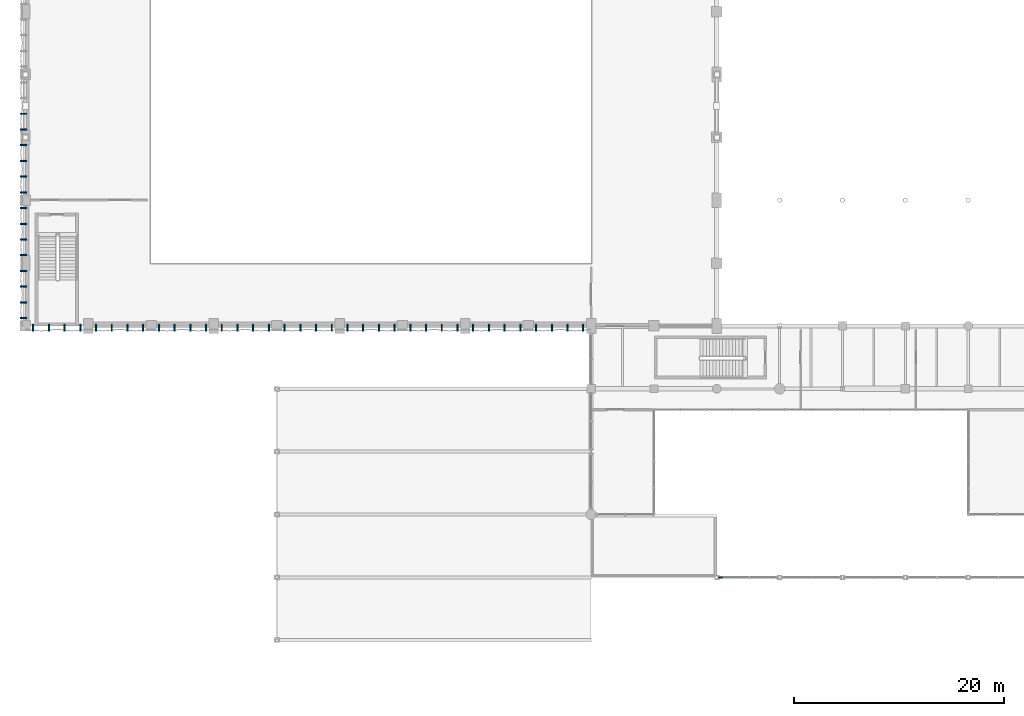
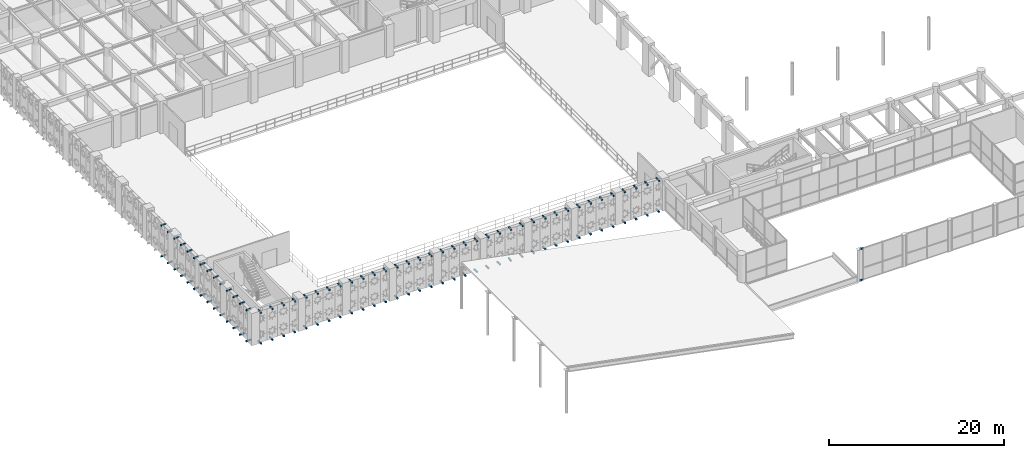
# One storey, part 114 of 133: 102 discrete accessories.
"""IFC4 building model written with IfcOpenShell, lengths in metres."""

from ifc_helpers import new_model, si_unit, direction, frame, origin, origin_2d, place, context, subcontext, project, spatial, rectangle, extrude, material, type_object, element, save


model = new_model("IFC4")

# Units and contexts
model_context = context("Model", 3, precision=1e-05, world=origin(), true_north=direction((0.0, 1.0)))
body_context = subcontext(model_context, "Body", "Model", "MODEL_VIEW")
ifc_project = project(units=[si_unit("LENGTHUNIT", "METRE"), si_unit("AREAUNIT", "SQUARE_METRE"), si_unit("VOLUMEUNIT", "CUBIC_METRE"), si_unit("PLANEANGLEUNIT", "RADIAN"), si_unit("MASSUNIT", "GRAM", prefix="KILO"), si_unit("THERMODYNAMICTEMPERATUREUNIT", "KELVIN"), si_unit("POWERUNIT", "WATT")], contexts=[model_context])

# Site, building, storey
site_placement = place(None, origin())
site = spatial("IfcSite", under=ifc_project, at=site_placement, CompositionType="ELEMENT")
building_placement = place(site_placement, origin())
building = spatial("IfcBuilding", under=site, at=building_placement, Name="Phaisarnlok Congress Hotel", CompositionType="ELEMENT")
storey_placement = place(building_placement, frame((0.0, 0.0, 6.0)))
storey = spatial("IfcBuildingStorey", under=building, at=storey_placement, Name="L01", CompositionType="ELEMENT", Elevation=6.0)

# Discrete accessories
ifc_material = material(Name="Steel S355", Category="steel")
discrete_accessory_type = type_object("IfcDiscreteAccessoryType", Name="ACC-BRK-STL", PredefinedType="BRACKET", material=ifc_material)
for number, where, z_axis, x_axis, name in (
    (1, (66.360107421875, 18.0, -0.009765625), (0.0, 0.0, 1.0), (1.0, 0.0, 0.0), "Curtain wall steel jamb spider bracket BK-01"),
    (2, (66.360107421875, 18.0, 4.35986328125), (0.0, 0.0, 1.0), (1.0, 0.0, 0.0), "Curtain wall steel jamb spider bracket BK-01"),
):
    element("IfcDiscreteAccessory", number, at=place(storey_placement, frame(where, z_axis=z_axis, x_axis=x_axis)), inside=storey, type_object=discrete_accessory_type, Name=name, PredefinedType="BRACKET", context=body_context, shape_type="SweptSolid", body=[
        extrude(rectangle(XDim=0.43994140625, YDim=0.159912109375, at=origin_2d()), origin(), (0.0, 0.0, 1.0), 0.139892578125),
    ])
for number, where, z_axis, x_axis, name in (
    (3, (-0.183837890625, 42.75, -0.18017578125), (0.0, 0.0, 1.0), (1.0, 0.0, 0.0), "Solar screen steel outrigger bracket BK-01"),
    (4, (-0.183837890625, 42.75, 4.1201171875), (0.0, 0.0, 1.0), (1.0, 0.0, 0.0), "Solar screen steel outrigger bracket BK-01"),
    (5, (-0.183837890625, 44.25, -0.18017578125), (0.0, 0.0, 1.0), (1.0, 0.0, 0.0), "Solar screen steel outrigger bracket BK-01"),
    (6, (-0.183837890625, 44.25, 4.1201171875), (0.0, 0.0, 1.0), (1.0, 0.0, 0.0), "Solar screen steel outrigger bracket BK-01"),
    (7, (-0.183837890625, 45.75, -0.18017578125), (0.0, 0.0, 1.0), (1.0, 0.0, 0.0), "Solar screen steel outrigger bracket BK-01"),
    (8, (-0.183837890625, 45.75, 4.1201171875), (0.0, 0.0, 1.0), (1.0, 0.0, 0.0), "Solar screen steel outrigger bracket BK-01"),
    (9, (-0.183837890625, 47.25, -0.18017578125), (0.0, 0.0, 1.0), (1.0, 0.0, 0.0), "Solar screen steel outrigger bracket BK-01"),
    (10, (-0.183837890625, 47.25, 4.1201171875), (0.0, 0.0, 1.0), (1.0, 0.0, 0.0), "Solar screen steel outrigger bracket BK-01"),
    (11, (-0.183837890625, 48.75, -0.18017578125), (0.0, 0.0, 1.0), (1.0, 0.0, 0.0), "Solar screen steel outrigger bracket BK-01"),
    (12, (-0.183837890625, 48.75, 4.1201171875), (0.0, 0.0, 1.0), (1.0, 0.0, 0.0), "Solar screen steel outrigger bracket BK-01"),
    (13, (-0.183837890625, 50.25, -0.18017578125), (0.0, 0.0, 1.0), (1.0, 0.0, 0.0), "Solar screen steel outrigger bracket BK-01"),
    (14, (-0.183837890625, 50.25, 4.1201171875), (0.0, 0.0, 1.0), (1.0, 0.0, 0.0), "Solar screen steel outrigger bracket BK-01"),
    (15, (-0.183837890625, 51.75, -0.18017578125), (0.0, 0.0, 1.0), (1.0, 0.0, 0.0), "Solar screen steel outrigger bracket BK-01"),
    (16, (-0.183837890625, 51.75, 4.1201171875), (0.0, 0.0, 1.0), (1.0, 0.0, 0.0), "Solar screen steel outrigger bracket BK-01"),
    (17, (-0.183837890625, 53.25, -0.18017578125), (0.0, 0.0, 1.0), (1.0, 0.0, 0.0), "Solar screen steel outrigger bracket BK-01"),
    (18, (-0.183837890625, 53.25, 4.1201171875), (0.0, 0.0, 1.0), (1.0, 0.0, 0.0), "Solar screen steel outrigger bracket BK-01"),
    (19, (-0.183837890625, 54.75, -0.18017578125), (0.0, 0.0, 1.0), (1.0, 0.0, 0.0), "Solar screen steel outrigger bracket BK-01"),
    (20, (-0.183837890625, 54.75, 4.1201171875), (0.0, 0.0, 1.0), (1.0, 0.0, 0.0), "Solar screen steel outrigger bracket BK-01"),
    (21, (-0.183837890625, 56.25, -0.18017578125), (0.0, 0.0, 1.0), (1.0, 0.0, 0.0), "Solar screen steel outrigger bracket BK-01"),
    (22, (-0.183837890625, 56.25, 4.1201171875), (0.0, 0.0, 1.0), (1.0, 0.0, 0.0), "Solar screen steel outrigger bracket BK-01"),
    (23, (-0.183837890625, 57.75, -0.18017578125), (0.0, 0.0, 1.0), (1.0, 0.0, 0.0), "Solar screen steel outrigger bracket BK-01"),
    (24, (-0.183837890625, 57.75, 4.1201171875), (0.0, 0.0, 1.0), (1.0, 0.0, 0.0), "Solar screen steel outrigger bracket BK-01"),
    (25, (-0.183837890625, 59.25, -0.18017578125), (0.0, 0.0, 1.0), (1.0, 0.0, 0.0), "Solar screen steel outrigger bracket BK-01"),
    (26, (-0.183837890625, 59.25, 4.1201171875), (0.0, 0.0, 1.0), (1.0, 0.0, 0.0), "Solar screen steel outrigger bracket BK-01"),
    (27, (-0.183837890625, 60.75, -0.18017578125), (0.0, 0.0, 1.0), (1.0, 0.0, 0.0), "Solar screen steel outrigger bracket BK-01"),
    (28, (-0.183837890625, 60.75, 4.1201171875), (0.0, 0.0, 1.0), (1.0, 0.0, 0.0), "Solar screen steel outrigger bracket BK-01"),
    (29, (-0.183837890625, 62.25, -0.18017578125), (0.0, 0.0, 1.0), (1.0, 0.0, 0.0), "Solar screen steel outrigger bracket BK-01"),
    (30, (-0.183837890625, 62.25, 4.1201171875), (0.0, 0.0, 1.0), (1.0, 0.0, 0.0), "Solar screen steel outrigger bracket BK-01"),
):
    element("IfcDiscreteAccessory", number, at=place(storey_placement, frame(where, z_axis=z_axis, x_axis=x_axis)), inside=storey, type_object=discrete_accessory_type, Name=name, PredefinedType="BRACKET", context=body_context, shape_type="SweptSolid", body=[
        extrude(rectangle(XDim=0.647705078125, YDim=0.139892578125, at=origin_2d()), origin(), (0.0, 0.0, 1.0), 0.159912109375),
    ])
for number, where, z_axis, x_axis, name in (
    (31, (0.75, 41.816162109375, -0.18017578125), (0.0, 0.0, 1.0), (1.0, 0.0, 0.0), "Solar screen steel outrigger bracket BK-01"),
    (32, (0.75, 41.816162109375, 4.1201171875), (0.0, 0.0, 1.0), (1.0, 0.0, 0.0), "Solar screen steel outrigger bracket BK-01"),
    (33, (2.25, 41.816162109375, -0.18017578125), (0.0, 0.0, 1.0), (1.0, 0.0, 0.0), "Solar screen steel outrigger bracket BK-01"),
    (34, (2.25, 41.816162109375, 4.1201171875), (0.0, 0.0, 1.0), (1.0, 0.0, 0.0), "Solar screen steel outrigger bracket BK-01"),
    (35, (3.75, 41.816162109375, -0.18017578125), (0.0, 0.0, 1.0), (1.0, 0.0, 0.0), "Solar screen steel outrigger bracket BK-01"),
    (36, (3.75, 41.816162109375, 4.1201171875), (0.0, 0.0, 1.0), (1.0, 0.0, 0.0), "Solar screen steel outrigger bracket BK-01"),
    (37, (5.25, 41.816162109375, -0.18017578125), (0.0, 0.0, 1.0), (1.0, 0.0, 0.0), "Solar screen steel outrigger bracket BK-01"),
    (38, (5.25, 41.816162109375, 4.1201171875), (0.0, 0.0, 1.0), (1.0, 0.0, 0.0), "Solar screen steel outrigger bracket BK-01"),
    (39, (6.75, 41.816162109375, -0.18017578125), (0.0, 0.0, 1.0), (1.0, 0.0, 0.0), "Solar screen steel outrigger bracket BK-01"),
    (40, (6.75, 41.816162109375, 4.1201171875), (0.0, 0.0, 1.0), (1.0, 0.0, 0.0), "Solar screen steel outrigger bracket BK-01"),
    (41, (8.25, 41.816162109375, -0.18017578125), (0.0, 0.0, 1.0), (1.0, 0.0, 0.0), "Solar screen steel outrigger bracket BK-01"),
    (42, (8.25, 41.816162109375, 4.1201171875), (0.0, 0.0, 1.0), (1.0, 0.0, 0.0), "Solar screen steel outrigger bracket BK-01"),
    (43, (9.75, 41.816162109375, -0.18017578125), (0.0, 0.0, 1.0), (1.0, 0.0, 0.0), "Solar screen steel outrigger bracket BK-01"),
    (44, (9.75, 41.816162109375, 4.1201171875), (0.0, 0.0, 1.0), (1.0, 0.0, 0.0), "Solar screen steel outrigger bracket BK-01"),
    (45, (11.25, 41.816162109375, -0.18017578125), (0.0, 0.0, 1.0), (1.0, 0.0, 0.0), "Solar screen steel outrigger bracket BK-01"),
    (46, (11.25, 41.816162109375, 4.1201171875), (0.0, 0.0, 1.0), (1.0, 0.0, 0.0), "Solar screen steel outrigger bracket BK-01"),
    (47, (12.75, 41.816162109375, -0.18017578125), (0.0, 0.0, 1.0), (1.0, 0.0, 0.0), "Solar screen steel outrigger bracket BK-01"),
    (48, (12.75, 41.816162109375, 4.1201171875), (0.0, 0.0, 1.0), (1.0, 0.0, 0.0), "Solar screen steel outrigger bracket BK-01"),
    (49, (14.25, 41.816162109375, -0.18017578125), (0.0, 0.0, 1.0), (1.0, 0.0, 0.0), "Solar screen steel outrigger bracket BK-01"),
    (50, (14.25, 41.816162109375, 4.1201171875), (0.0, 0.0, 1.0), (1.0, 0.0, 0.0), "Solar screen steel outrigger bracket BK-01"),
    (51, (15.75, 41.816162109375, -0.18017578125), (0.0, 0.0, 1.0), (1.0, 0.0, 0.0), "Solar screen steel outrigger bracket BK-01"),
    (52, (15.75, 41.816162109375, 4.1201171875), (0.0, 0.0, 1.0), (1.0, 0.0, 0.0), "Solar screen steel outrigger bracket BK-01"),
    (53, (17.25, 41.816162109375, -0.18017578125), (0.0, 0.0, 1.0), (1.0, 0.0, 0.0), "Solar screen steel outrigger bracket BK-01"),
    (54, (17.25, 41.816162109375, 4.1201171875), (0.0, 0.0, 1.0), (1.0, 0.0, 0.0), "Solar screen steel outrigger bracket BK-01"),
    (55, (18.75, 41.816162109375, -0.18017578125), (0.0, 0.0, 1.0), (1.0, 0.0, 0.0), "Solar screen steel outrigger bracket BK-01"),
    (56, (18.75, 41.816162109375, 4.1201171875), (0.0, 0.0, 1.0), (1.0, 0.0, 0.0), "Solar screen steel outrigger bracket BK-01"),
    (57, (20.25, 41.816162109375, -0.18017578125), (0.0, 0.0, 1.0), (1.0, 0.0, 0.0), "Solar screen steel outrigger bracket BK-01"),
    (58, (20.25, 41.816162109375, 4.1201171875), (0.0, 0.0, 1.0), (1.0, 0.0, 0.0), "Solar screen steel outrigger bracket BK-01"),
    (59, (21.75, 41.816162109375, -0.18017578125), (0.0, 0.0, 1.0), (1.0, 0.0, 0.0), "Solar screen steel outrigger bracket BK-01"),
    (60, (21.75, 41.816162109375, 4.1201171875), (0.0, 0.0, 1.0), (1.0, 0.0, 0.0), "Solar screen steel outrigger bracket BK-01"),
    (61, (23.25, 41.816162109375, -0.18017578125), (0.0, 0.0, 1.0), (1.0, 0.0, 0.0), "Solar screen steel outrigger bracket BK-01"),
    (62, (23.25, 41.816162109375, 4.1201171875), (0.0, 0.0, 1.0), (1.0, 0.0, 0.0), "Solar screen steel outrigger bracket BK-01"),
    (63, (24.75, 41.816162109375, -0.18017578125), (0.0, 0.0, 1.0), (1.0, 0.0, 0.0), "Solar screen steel outrigger bracket BK-01"),
    (64, (24.75, 41.816162109375, 4.1201171875), (0.0, 0.0, 1.0), (1.0, 0.0, 0.0), "Solar screen steel outrigger bracket BK-01"),
    (65, (26.25, 41.816162109375, -0.18017578125), (0.0, 0.0, 1.0), (1.0, 0.0, 0.0), "Solar screen steel outrigger bracket BK-01"),
    (66, (26.25, 41.816162109375, 4.1201171875), (0.0, 0.0, 1.0), (1.0, 0.0, 0.0), "Solar screen steel outrigger bracket BK-01"),
    (67, (27.75, 41.816162109375, -0.18017578125), (0.0, 0.0, 1.0), (1.0, 0.0, 0.0), "Solar screen steel outrigger bracket BK-01"),
    (68, (27.75, 41.816162109375, 4.1201171875), (0.0, 0.0, 1.0), (1.0, 0.0, 0.0), "Solar screen steel outrigger bracket BK-01"),
    (69, (29.25, 41.816162109375, -0.18017578125), (0.0, 0.0, 1.0), (1.0, 0.0, 0.0), "Solar screen steel outrigger bracket BK-01"),
    (70, (29.25, 41.816162109375, 4.1201171875), (0.0, 0.0, 1.0), (1.0, 0.0, 0.0), "Solar screen steel outrigger bracket BK-01"),
    (71, (30.75, 41.816162109375, -0.18017578125), (0.0, 0.0, 1.0), (1.0, 0.0, 0.0), "Solar screen steel outrigger bracket BK-01"),
    (72, (30.75, 41.816162109375, 4.1201171875), (0.0, 0.0, 1.0), (1.0, 0.0, 0.0), "Solar screen steel outrigger bracket BK-01"),
    (73, (32.25, 41.816162109375, -0.18017578125), (0.0, 0.0, 1.0), (1.0, 0.0, 0.0), "Solar screen steel outrigger bracket BK-01"),
    (74, (32.25, 41.816162109375, 4.1201171875), (0.0, 0.0, 1.0), (1.0, 0.0, 0.0), "Solar screen steel outrigger bracket BK-01"),
    (75, (33.75, 41.816162109375, -0.18017578125), (0.0, 0.0, 1.0), (1.0, 0.0, 0.0), "Solar screen steel outrigger bracket BK-01"),
    (76, (33.75, 41.816162109375, 4.1201171875), (0.0, 0.0, 1.0), (1.0, 0.0, 0.0), "Solar screen steel outrigger bracket BK-01"),
    (77, (35.25, 41.816162109375, -0.18017578125), (0.0, 0.0, 1.0), (1.0, 0.0, 0.0), "Solar screen steel outrigger bracket BK-01"),
    (78, (35.25, 41.816162109375, 4.1201171875), (0.0, 0.0, 1.0), (1.0, 0.0, 0.0), "Solar screen steel outrigger bracket BK-01"),
    (79, (36.75, 41.816162109375, -0.18017578125), (0.0, 0.0, 1.0), (1.0, 0.0, 0.0), "Solar screen steel outrigger bracket BK-01"),
    (80, (36.75, 41.816162109375, 4.1201171875), (0.0, 0.0, 1.0), (1.0, 0.0, 0.0), "Solar screen steel outrigger bracket BK-01"),
    (81, (38.25, 41.816162109375, -0.18017578125), (0.0, 0.0, 1.0), (1.0, 0.0, 0.0), "Solar screen steel outrigger bracket BK-01"),
    (82, (38.25, 41.816162109375, 4.1201171875), (0.0, 0.0, 1.0), (1.0, 0.0, 0.0), "Solar screen steel outrigger bracket BK-01"),
    (83, (39.75, 41.816162109375, -0.18017578125), (0.0, 0.0, 1.0), (1.0, 0.0, 0.0), "Solar screen steel outrigger bracket BK-01"),
    (84, (39.75, 41.816162109375, 4.1201171875), (0.0, 0.0, 1.0), (1.0, 0.0, 0.0), "Solar screen steel outrigger bracket BK-01"),
    (85, (41.25, 41.816162109375, -0.18017578125), (0.0, 0.0, 1.0), (1.0, 0.0, 0.0), "Solar screen steel outrigger bracket BK-01"),
    (86, (41.25, 41.816162109375, 4.1201171875), (0.0, 0.0, 1.0), (1.0, 0.0, 0.0), "Solar screen steel outrigger bracket BK-01"),
    (87, (42.75, 41.816162109375, -0.18017578125), (0.0, 0.0, 1.0), (1.0, 0.0, 0.0), "Solar screen steel outrigger bracket BK-01"),
    (88, (42.75, 41.816162109375, 4.1201171875), (0.0, 0.0, 1.0), (1.0, 0.0, 0.0), "Solar screen steel outrigger bracket BK-01"),
    (89, (44.25, 41.816162109375, -0.18017578125), (0.0, 0.0, 1.0), (1.0, 0.0, 0.0), "Solar screen steel outrigger bracket BK-01"),
    (90, (44.25, 41.816162109375, 4.1201171875), (0.0, 0.0, 1.0), (1.0, 0.0, 0.0), "Solar screen steel outrigger bracket BK-01"),
    (91, (45.75, 41.816162109375, -0.18017578125), (0.0, 0.0, 1.0), (1.0, 0.0, 0.0), "Solar screen steel outrigger bracket BK-01"),
    (92, (45.75, 41.816162109375, 4.1201171875), (0.0, 0.0, 1.0), (1.0, 0.0, 0.0), "Solar screen steel outrigger bracket BK-01"),
    (93, (47.25, 41.816162109375, -0.18017578125), (0.0, 0.0, 1.0), (1.0, 0.0, 0.0), "Solar screen steel outrigger bracket BK-01"),
    (94, (47.25, 41.816162109375, 4.1201171875), (0.0, 0.0, 1.0), (1.0, 0.0, 0.0), "Solar screen steel outrigger bracket BK-01"),
    (95, (48.75, 41.816162109375, -0.18017578125), (0.0, 0.0, 1.0), (1.0, 0.0, 0.0), "Solar screen steel outrigger bracket BK-01"),
    (96, (48.75, 41.816162109375, 4.1201171875), (0.0, 0.0, 1.0), (1.0, 0.0, 0.0), "Solar screen steel outrigger bracket BK-01"),
    (97, (50.25, 41.816162109375, -0.18017578125), (0.0, 0.0, 1.0), (1.0, 0.0, 0.0), "Solar screen steel outrigger bracket BK-01"),
    (98, (50.25, 41.816162109375, 4.1201171875), (0.0, 0.0, 1.0), (1.0, 0.0, 0.0), "Solar screen steel outrigger bracket BK-01"),
    (99, (51.75, 41.816162109375, -0.18017578125), (0.0, 0.0, 1.0), (1.0, 0.0, 0.0), "Solar screen steel outrigger bracket BK-01"),
    (100, (51.75, 41.816162109375, 4.1201171875), (0.0, 0.0, 1.0), (1.0, 0.0, 0.0), "Solar screen steel outrigger bracket BK-01"),
    (101, (53.25, 41.816162109375, -0.18017578125), (0.0, 0.0, 1.0), (1.0, 0.0, 0.0), "Solar screen steel outrigger bracket BK-01"),
    (102, (53.25, 41.816162109375, 4.1201171875), (0.0, 0.0, 1.0), (1.0, 0.0, 0.0), "Solar screen steel outrigger bracket BK-01"),
):
    element("IfcDiscreteAccessory", number, at=place(storey_placement, frame(where, z_axis=z_axis, x_axis=x_axis)), inside=storey, type_object=discrete_accessory_type, Name=name, PredefinedType="BRACKET", context=body_context, shape_type="SweptSolid", body=[
        extrude(rectangle(XDim=0.139892578125, YDim=0.647705078125, at=origin_2d()), origin(), (0.0, 0.0, 1.0), 0.159912109375),
    ])

save(model, "model.ifc")
